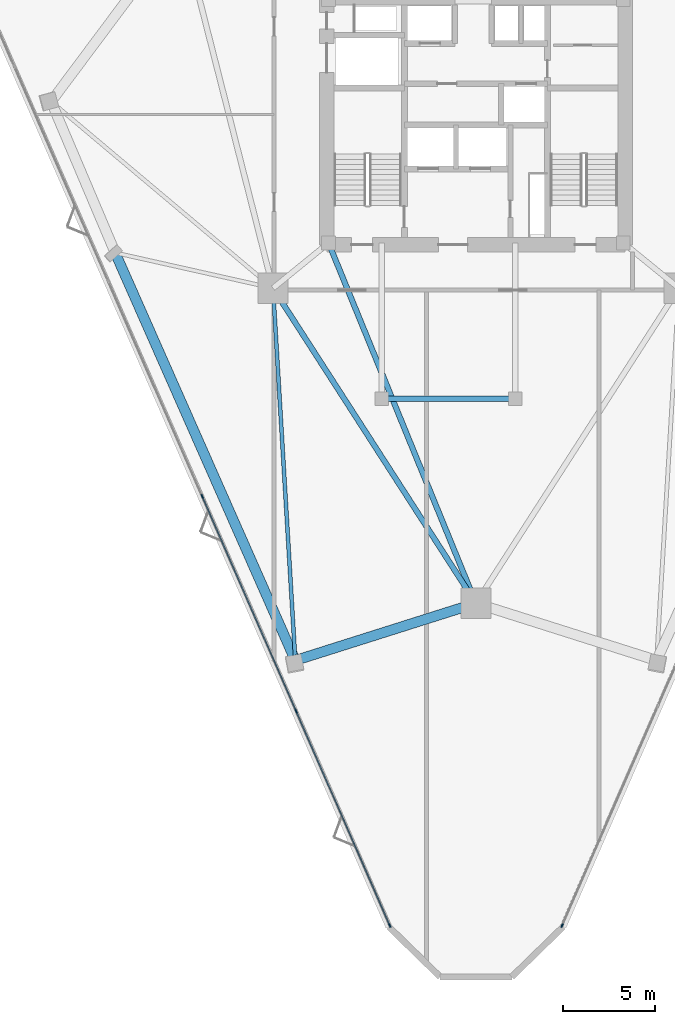
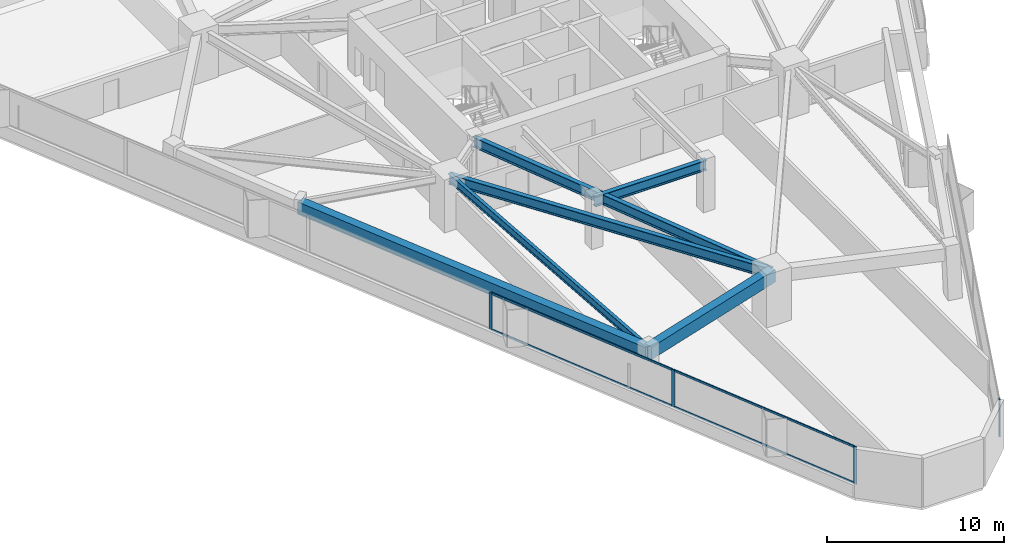
# One storey, part 2 of 15: 8 members, 6 beams, 2 elements without a shape of their own.
"""IFC4 building model written with IfcOpenShell, lengths in metres."""

import ifcopenshell
import ifcopenshell.guid

model = None  # the IFC model being written
_history = None  # IfcOwnerHistory: only IFC2X3 demands one
_inside = {}  # id of a spatial element -> (the spatial element, [elements in it])
_under = {}  # id of a project, library or spatial element -> (it, [spatial elements below it])
_declared = {}  # id of a project -> (the project, [libraries it declares])
_typed = {}  # id of a type object -> (the type object, [elements of that type])
_made_of = {}  # id of a material, layer set ... -> (it, [elements and type objects made of it])


def new_model(schema):
    """Start an empty IFC model of exactly this schema.

    Asked for "IFC4X3", IfcOpenShell would pick the latest addendum, in which some entities
    have other attributes; the version numbers below select the first issue.
    IFC2X3 requires an IfcOwnerHistory on every rooted entity: one is made here for all.
    """
    global model, _history
    if schema == "IFC4X3":
        model = ifcopenshell.file(schema_version=(4, 3, 0, 0))
    else:
        model = ifcopenshell.file(schema=schema)
    _inside.clear()
    _under.clear()
    _declared.clear()
    _typed.clear()
    _made_of.clear()
    _history = None
    if model.schema == "IFC2X3":
        org = make("IfcOrganization", Name="unknown")
        user = make(
            "IfcPersonAndOrganization",
            ThePerson=make("IfcPerson", FamilyName="unknown"),
            TheOrganization=org,
        )
        app = make(
            "IfcApplication",
            ApplicationDeveloper=org,
            Version="unknown",
            ApplicationFullName="unknown",
            ApplicationIdentifier="unknown",
        )
        _history = make(
            "IfcOwnerHistory",
            OwningUser=user,
            OwningApplication=app,
            ChangeAction="ADDED",
            CreationDate=0,
        )
    return model


def make(cls, **values):
    """One entity of the class cls with the attributes given. An attribute that is None is left unset."""
    return model.create_entity(
        cls, **{name: value for name, value in values.items() if value is not None}
    )


def rooted(cls, **values):
    """An entity with a GlobalId (a new one), such as an element, a storey or a relation."""
    return make(cls, GlobalId=ifcopenshell.guid.new(), OwnerHistory=_history, **values)


def si_unit(unit_type, name, prefix=None):
    """IfcSIUnit, for example si_unit("LENGTHUNIT", "METRE", prefix="MILLI")."""
    return make("IfcSIUnit", UnitType=unit_type, Prefix=prefix, Name=name)


def assignment(units):
    """IfcUnitAssignment: the units of a project."""
    return None if units is None else make("IfcUnitAssignment", Units=units)


def point(xyz):
    """IfcCartesianPoint."""
    return None if xyz is None else make("IfcCartesianPoint", Coordinates=xyz)


def direction(xyz):
    """IfcDirection."""
    return None if xyz is None else make("IfcDirection", DirectionRatios=xyz)


def frame(location, z_axis=None, x_axis=None):
    """IfcAxis2Placement3D, a coordinate frame: its origin and axes. An axis left out is left unset."""
    return make(
        "IfcAxis2Placement3D",
        Location=point(location),
        Axis=direction(z_axis),
        RefDirection=direction(x_axis),
    )


def frame_2d(location, x_axis=None):
    """IfcAxis2Placement2D, a coordinate frame in the plane: its origin and x axis."""
    return make(
        "IfcAxis2Placement2D", Location=point(location), RefDirection=direction(x_axis)
    )


def origin():
    """The frame at (0, 0, 0) with its axes left unset."""
    return frame((0.0, 0.0, 0.0))


def origin_2d():
    """The frame at (0, 0) in the plane with its x axis left unset."""
    return frame_2d((0.0, 0.0))


def place(relative_to, where):
    """IfcLocalPlacement: puts the frame where relative to a parent placement (None: the world)."""
    return make(
        "IfcLocalPlacement", PlacementRelTo=relative_to, RelativePlacement=where
    )


def context(
    kind, dimensions, precision=None, world=None, true_north=None, identifier=None
):
    """IfcGeometricRepresentationContext, for example the 3D "Model" context."""
    return make(
        "IfcGeometricRepresentationContext",
        ContextIdentifier=identifier,
        ContextType=kind,
        CoordinateSpaceDimension=dimensions,
        Precision=precision,
        WorldCoordinateSystem=world,
        TrueNorth=true_north,
    )


def subcontext(parent, identifier, kind, view, scale=None):
    """IfcGeometricRepresentationSubContext, for example "Body" below "Model"."""
    return make(
        "IfcGeometricRepresentationSubContext",
        ContextIdentifier=identifier,
        ContextType=kind,
        ParentContext=parent,
        TargetScale=scale,
        TargetView=view,
    )


def project(units=None, contexts=None):
    """IfcProject with its units and contexts."""
    return rooted(
        "IfcProject",
        Name="project",
        RepresentationContexts=contexts,
        UnitsInContext=assignment(units),
    )


def spatial(cls, under=None, at=None, **own):
    """A site, building, storey or space (cls), placed at a placement, below another one or the project."""
    s = rooted(cls, ObjectPlacement=at, **own)
    if under is not None:
        _under.setdefault(under.id(), (under, []))[1].append(s)
    return s


def profile(cls, at=None, kind="AREA", **sizes):
    """A parametric profile (cls). Its sizes go by their IFC names, for example OverallWidth=200.0."""
    return make(cls, ProfileType=kind, Position=at, **sizes)


def rectangle(**sizes):
    """IfcRectangleProfileDef."""
    return profile("IfcRectangleProfileDef", **sizes)


def i_section(**sizes):
    """IfcIShapeProfileDef."""
    return profile("IfcIShapeProfileDef", **sizes)


def extrude(swept, where, along, depth):
    """IfcExtrudedAreaSolid: the profile swept, set in the frame where, extruded along a direction by depth."""
    return make(
        "IfcExtrudedAreaSolid",
        SweptArea=swept,
        Position=where,
        ExtrudedDirection=direction(along),
        Depth=depth,
    )


def shape(context_of_items, identifier, shape_type, items):
    """IfcShapeRepresentation: the items that make up one representation, for example the "Body"."""
    return make(
        "IfcShapeRepresentation",
        ContextOfItems=context_of_items,
        RepresentationIdentifier=identifier,
        RepresentationType=shape_type,
        Items=items,
    )


def material(Name=None, Category=None):
    """IfcMaterial."""
    return make("IfcMaterial", Name=Name, Category=Category)


def layer(
    of_material, thickness, ventilated=None, Name=None, Category=None, Priority=None
):
    """IfcMaterialLayer: one layer of a wall or slab, of a material (None: an air gap)."""
    return make(
        "IfcMaterialLayer",
        Material=of_material,
        LayerThickness=thickness,
        IsVentilated=ventilated,
        Name=Name,
        Category=Category,
        Priority=Priority,
    )


def layer_set(layers, Name=None):
    """IfcMaterialLayerSet."""
    return make("IfcMaterialLayerSet", MaterialLayers=layers, LayerSetName=Name)


def material_profile(
    of_material, cross_section, Name=None, Category=None, Priority=None
):
    """IfcMaterialProfile: a cross section and its material."""
    return make(
        "IfcMaterialProfile",
        Name=Name,
        Material=of_material,
        Profile=cross_section,
        Priority=Priority,
        Category=Category,
    )


def profile_set(profiles, Name=None, composite=None):
    """IfcMaterialProfileSet."""
    return make(
        "IfcMaterialProfileSet",
        Name=Name,
        MaterialProfiles=profiles,
        CompositeProfile=composite,
    )


def made_of(thing, what):
    """Note that an element or type object is made of a material, layer set ...; save() writes the relation."""
    if what is not None:
        _made_of.setdefault(what.id(), (what, []))[1].append(thing)
    return thing


def type_object(cls, material=None, **own):
    """A type object (cls), such as IfcWallType, which elements share."""
    return made_of(rooted(cls, **own), material)


def element(
    cls,
    number,
    at=None,
    inside=None,
    cuts=None,
    type_object=None,
    material=None,
    context=None,
    identifier="Body",
    shape_type=None,
    held_by="IfcProductDefinitionShape",
    body=None,
    shapes=None,
    **own,
):
    """One element of the class cls, such as IfcWall. Its Tag is "e" and its number.

    at: its placement. inside: the storey or other place that contains it. cuts: it is an
    opening in that element (IfcRelVoidsElement). A single representation is given by context,
    identifier, shape_type and body (its items); several are given by shapes. held_by: the class
    of the entity that holds the representations. save() writes the other relations.
    """
    e = rooted(cls, Tag="e%d" % number, ObjectPlacement=at, **own)
    if body is not None:
        shapes = [shape(context, identifier, shape_type, body)]
    if shapes is not None:
        e.Representation = make(held_by, Representations=shapes)
    if inside is not None:
        _inside.setdefault(inside.id(), (inside, []))[1].append(e)
    if cuts is not None:
        rooted(
            "IfcRelVoidsElement", RelatingBuildingElement=cuts, RelatedOpeningElement=e
        )
    if type_object is not None:
        _typed.setdefault(type_object.id(), (type_object, []))[1].append(e)
    return made_of(e, material)


def aggregate(whole, parts):
    """IfcRelAggregates: a whole, such as a stair, and the parts it consists of."""
    return rooted("IfcRelAggregates", RelatingObject=whole, RelatedObjects=parts)


def save(model, path):
    """Write the relations noted so far, then the file.

    IfcRelAggregates (storeys below a building ...), IfcRelContainedInSpatialStructure (elements
    in a storey), IfcRelDefinesByType, IfcRelAssociatesMaterial and IfcRelDeclares: one each for
    every whole, place, type object, material and project.
    """
    for whole, parts in _under.values():
        aggregate(whole, parts)
    for where, things in _inside.values():
        rooted(
            "IfcRelContainedInSpatialStructure",
            RelatedElements=things,
            RelatingStructure=where,
        )
    for kind, things in _typed.values():
        rooted("IfcRelDefinesByType", RelatedObjects=things, RelatingType=kind)
    for what, things in _made_of.values():
        rooted("IfcRelAssociatesMaterial", RelatedObjects=things, RelatingMaterial=what)
    for by, libraries in _declared.values():
        rooted("IfcRelDeclares", RelatingContext=by, RelatedDefinitions=libraries)
    model.write(path)


model = new_model("IFC4")

# Units and contexts
model_context = context("Model", 3, precision=1e-05, world=origin(), true_north=direction((0.0, 1.0)))
body_context = subcontext(model_context, "Body", "Model", "MODEL_VIEW")
ifc_project = project(units=[si_unit("LENGTHUNIT", "METRE"), si_unit("AREAUNIT", "SQUARE_METRE"), si_unit("VOLUMEUNIT", "CUBIC_METRE"), si_unit("PLANEANGLEUNIT", "RADIAN"), si_unit("MASSUNIT", "GRAM", prefix="KILO")], contexts=[model_context])

# Site, building, storey
site_placement = place(None, origin())
site = spatial("IfcSite", under=ifc_project, at=site_placement, CompositionType="ELEMENT")
building_placement = place(site_placement, origin())
building = spatial("IfcBuilding", under=site, at=building_placement, Name="Talyreon Biosciences Tower", CompositionType="ELEMENT")
storey_placement = place(building_placement, frame((0.0, 0.0, 100.550048828125)))
storey = spatial("IfcBuildingStorey", under=building, at=storey_placement, Name="L26", CompositionType="ELEMENT", Elevation=100.550048828125)

# Curtain wall, member
ifc_material_1 = material(Name="Thermally broken aluminium and low-E glazing", Category="aluminium")
ifc_layer = layer(ifc_material_1, 0.205078125)
ifc_layer_set = layer_set([ifc_layer], Name="Thermally broken aluminium and low-E glazing")
curtain_wall_type = type_object("IfcCurtainWallType", Name="CurtainWall_SkyGardenLoggia", PredefinedType="NOTDEFINED", material=ifc_layer_set)
curtain_wall_1_placement = place(storey_placement, origin())
curtain_wall_1 = element("IfcCurtainWall", 1, at=curtain_wall_1_placement, inside=storey, type_object=curtain_wall_type, Name="L26 Unitised Curtain Wall FCW-L26-11", PredefinedType="NOTDEFINED")
ifc_material_2 = material(Name="Anodised thermally broken aluminium", Category="aluminium")
ifc_material_profile_1 = material_profile(ifc_material_2, rectangle(XDim=0.074951171875, YDim=0.2099609375, at=origin_2d()), Name="ALUM MULLION 75x210")
ifc_profile_set_1 = profile_set([ifc_material_profile_1], Name="Anodised thermally broken aluminium")
member_type_1 = type_object("IfcMemberType", Name="CWMullion_75x210", PredefinedType="MULLION", material=ifc_profile_set_1)
member_1_placement = place(storey_placement, frame((70.706787109375, 24.058349609375, 0.81005859375), z_axis=(0.0, 0.0, 1.0), x_axis=(0.916345572627, -0.400388300937, 0.0)))
member_1 = element("IfcMember", 2, at=member_1_placement, type_object=member_type_1, Name="CW7 mullion 3", PredefinedType="MULLION", context=body_context, shape_type="SweptSolid", body=[
    extrude(rectangle(XDim=0.074951171875, YDim=0.2099609375, at=origin_2d()), origin(), (0.0, 0.0, 1.0), 2.56494140625),
])
aggregate(curtain_wall_1, [member_1])

# Curtain wall, members
curtain_wall_2_placement = place(storey_placement, origin())
curtain_wall_2 = element("IfcCurtainWall", 3, at=curtain_wall_2_placement, inside=storey, type_object=curtain_wall_type, Name="L26 Unitised Curtain Wall FCW-L26-15", PredefinedType="NOTDEFINED")
member_2_placement = place(storey_placement, frame((61.293212890625, 24.058349609375, 0.81005859375), z_axis=(0.0, 0.0, 1.0), x_axis=(-0.9163461482, -0.400386983653, 0.0)))
member_2 = element("IfcMember", 4, at=member_2_placement, type_object=member_type_1, Name="CW7 mullion 1", PredefinedType="MULLION", context=body_context, shape_type="SweptSolid", body=[
    extrude(rectangle(XDim=0.074951171875, YDim=0.2099609375, at=origin_2d()), origin(), (0.0, 0.0, 1.0), 2.56494140625),
])
member_3_placement = place(storey_placement, frame((56.177490234375, 35.7666015625, 0.81005859375), z_axis=(0.0, 0.0, 1.0), x_axis=(-0.9163461482, -0.400386983653, 0.0)))
member_3 = element("IfcMember", 5, at=member_3_placement, type_object=member_type_1, Name="CW7 mullion 2", PredefinedType="MULLION", context=body_context, shape_type="SweptSolid", body=[
    extrude(rectangle(XDim=0.074951171875, YDim=0.2099609375, at=origin_2d()), origin(), (0.0, 0.0, 1.0), 2.56494140625),
])
member_4_placement = place(storey_placement, frame((51.046875, 47.509033203125, 0.81005859375), z_axis=(0.0, 0.0, 1.0), x_axis=(-0.9163461482, -0.400386983653, 0.0)))
member_4 = element("IfcMember", 6, at=member_4_placement, type_object=member_type_1, Name="CW7 mullion 3", PredefinedType="MULLION", context=body_context, shape_type="SweptSolid", body=[
    extrude(rectangle(XDim=0.074951171875, YDim=0.2099609375, at=origin_2d()), origin(), (0.0, 0.0, 1.0), 2.56494140625),
])
ifc_material_profile_2 = material_profile(ifc_material_2, rectangle(XDim=0.06494140625, YDim=0.139892578125, at=origin_2d()), Name="ALUM TRANSOM 65x140")
ifc_profile_set_2 = profile_set([ifc_material_profile_2], Name="Anodised thermally broken aluminium")
member_type_2 = type_object("IfcMemberType", Name="CWTransom_65x140", PredefinedType="USERDEFINED", material=ifc_profile_set_2)
member_5_placement = place(storey_placement, frame((61.2783203125, 24.0927734375, 0.842529296875), z_axis=(-0.400386229252, 0.916346477827, 0.0), x_axis=(-0.916346477827, -0.400386229252, 0.0)))
member_5 = element("IfcMember", 7, at=member_5_placement, type_object=member_type_2, Name="CW7 transom 1.1", ObjectType="TRANSOM", PredefinedType="USERDEFINED", context=body_context, shape_type="SweptSolid", body=[
    extrude(rectangle(XDim=0.06494140625, YDim=0.139892578125, at=origin_2d()), origin(), (0.0, 0.0, 1.0), 12.701904296875),
])
member_6_placement = place(storey_placement, frame((61.2783203125, 24.0927734375, 3.342529296875), z_axis=(-0.400386229252, 0.916346477827, 0.0), x_axis=(-0.916346477827, -0.400386229252, 0.0)))
member_6 = element("IfcMember", 8, at=member_6_placement, type_object=member_type_2, Name="CW7 transom 1.2", ObjectType="TRANSOM", PredefinedType="USERDEFINED", context=body_context, shape_type="SweptSolid", body=[
    extrude(rectangle(XDim=0.06494140625, YDim=0.139892578125, at=origin_2d()), origin(), (0.0, 0.0, 1.0), 12.701904296875),
])
member_7_placement = place(storey_placement, frame((56.16259765625, 35.80078125, 0.842529296875), z_axis=(-0.400392533988, 0.916343723025, 0.0), x_axis=(-0.916343723025, -0.400392533988, 0.0)))
member_7 = element("IfcMember", 9, at=member_7_placement, type_object=member_type_2, Name="CW7 transom 2.1", ObjectType="TRANSOM", PredefinedType="USERDEFINED", context=body_context, shape_type="SweptSolid", body=[
    extrude(rectangle(XDim=0.06494140625, YDim=0.139892578125, at=origin_2d()), origin(), (0.0, 0.0, 1.0), 12.739501953125),
])
member_8_placement = place(storey_placement, frame((56.16259765625, 35.80078125, 3.342529296875), z_axis=(-0.400392533988, 0.916343723025, 0.0), x_axis=(-0.916343723025, -0.400392533988, 0.0)))
member_8 = element("IfcMember", 10, at=member_8_placement, type_object=member_type_2, Name="CW7 transom 2.2", ObjectType="TRANSOM", PredefinedType="USERDEFINED", context=body_context, shape_type="SweptSolid", body=[
    extrude(rectangle(XDim=0.06494140625, YDim=0.139892578125, at=origin_2d()), origin(), (0.0, 0.0, 1.0), 12.739501953125),
])
aggregate(curtain_wall_2, [member_2, member_3, member_4, member_5, member_6, member_7, member_8])

# Beams
ifc_material_3 = material(Name="Precast concrete C45/55", Category="concrete")
ifc_material_profile_3 = material_profile(ifc_material_3, rectangle(XDim=0.550048828125, YDim=0.85009765625, at=origin_2d()), Name="RCB 550x850")
ifc_profile_set_3 = profile_set([ifc_material_profile_3], Name="Precast concrete C45/55")
beam_type_1 = type_object("IfcBeamType", Name="ExpressedSpandrel_550x850", PredefinedType="SPANDREL", material=ifc_profile_set_3)
beam_1_placement = place(storey_placement, frame((46.291748046875, 60.814208984375, 2.949951171875), z_axis=(0.404147459862, -0.914693845331, 0.0), x_axis=(0.914693845331, 0.404147459862, 0.0)))
element("IfcBeam", 11, at=beam_1_placement, inside=storey, type_object=beam_type_1, Name="L26 Expressed Horizontal Concrete Spandrel 11", PredefinedType="SPANDREL", context=body_context, shape_type="SweptSolid", body=[
    extrude(rectangle(XDim=0.550048828125, YDim=0.85009765625, at=origin_2d()), origin(), (0.0, 0.0, 1.0), 24.34765625),
])
beam_2_placement = place(storey_placement, frame((56.1318359375, 38.54345703125, 2.949951171875), z_axis=(0.953380685444, 0.301770224878, 0.0), x_axis=(-0.301770224878, 0.953380685444, 0.0)))
element("IfcBeam", 12, at=beam_2_placement, inside=storey, type_object=beam_type_1, Name="L26 Expressed Horizontal Concrete Spandrel 12", PredefinedType="SPANDREL", context=body_context, shape_type="SweptSolid", body=[
    extrude(rectangle(XDim=0.550048828125, YDim=0.85009765625, at=origin_2d()), origin(), (0.0, 0.0, 1.0), 10.3505859375),
])
ifc_material_4 = material(Name="Steel SM355", Category="steel")
ifc_material_profile_4 = material_profile(ifc_material_4, i_section(OverallWidth=0.300048828125, OverallDepth=0.699951171875, WebThickness=0.01708984375, FlangeThickness=0.031982421875, FilletRadius=0.027099609375, at=origin_2d()), Name="HE700B")
ifc_profile_set_4 = profile_set([ifc_material_profile_4], Name="Steel SM355")
beam_type_2 = type_object("IfcBeamType", Name="SteelGirder_HE700B", PredefinedType="BEAM", material=ifc_profile_set_4)
beam_3_placement = place(storey_placement, frame((54.913818359375, 58.88037109375, 3.02490234375), z_axis=(0.541463723609, -0.840724114092, 0.0), x_axis=(0.840724114092, 0.541463723609, 0.0)))
element("IfcBeam", 13, at=beam_3_placement, inside=storey, type_object=beam_type_2, Name="L26 Mega-Ring Girder 6", PredefinedType="BEAM", context=body_context, shape_type="SweptSolid", body=[
    extrude(i_section(OverallWidth=0.300048828125, OverallDepth=0.699951171875, WebThickness=0.01708984375, FlangeThickness=0.031982421875, FilletRadius=0.027099609375, at=origin_2d()), origin(), (0.0, 0.0, 1.0), 20.474365234375),
])
beam_4_placement = place(storey_placement, frame((57.949951171875, 61.35009765625, 3.02490234375), z_axis=(0.378547014545, -0.925582064314, 0.0), x_axis=(0.925582064314, 0.378547014545, 0.0)))
element("IfcBeam", 14, at=beam_4_placement, inside=storey, type_object=beam_type_2, Name="L26 Radial Primary Girder 1", PredefinedType="BEAM", context=body_context, shape_type="SweptSolid", body=[
    extrude(i_section(OverallWidth=0.300048828125, OverallDepth=0.699951171875, WebThickness=0.01708984375, FlangeThickness=0.031982421875, FilletRadius=0.027099609375, at=origin_2d()), origin(), (0.0, 0.0, 1.0), 21.265625),
])
beam_5_placement = place(storey_placement, frame((60.85009765625, 52.840087890625, 3.02490234375), z_axis=(1.0, 0.0, 0.0), x_axis=(0.0, 1.0, 0.0)))
element("IfcBeam", 15, at=beam_5_placement, inside=storey, type_object=beam_type_2, Name="L26 Crown Shaft Spine Girder S", PredefinedType="BEAM", context=body_context, shape_type="SweptSolid", body=[
    extrude(i_section(OverallWidth=0.300048828125, OverallDepth=0.699951171875, WebThickness=0.01708984375, FlangeThickness=0.031982421875, FilletRadius=0.027099609375, at=origin_2d()), origin(), (0.0, 0.0, 1.0), 7.2998046875),
])
ifc_material_profile_5 = material_profile(ifc_material_4, i_section(OverallWidth=0.2099609375, OverallDepth=0.550048828125, WebThickness=0.010986328125, FlangeThickness=0.01708984375, FilletRadius=0.02392578125, at=origin_2d()), Name="IPE550")
ifc_profile_set_5 = profile_set([ifc_material_profile_5], Name="Steel SM355")
beam_type_3 = type_object("IfcBeamType", Name="SteelJoist_IPE550", PredefinedType="JOIST", material=ifc_profile_set_5)
beam_6_placement = place(storey_placement, frame((54.913818359375, 58.88037109375, 3.099853515625), z_axis=(0.059784827289, -0.998211287467, 0.0), x_axis=(0.998211287467, 0.059784827289, 0.0)))
element("IfcBeam", 16, at=beam_6_placement, inside=storey, type_object=beam_type_3, Name="L26 Radial Composite Floor Joist PC-SW2", PredefinedType="JOIST", context=body_context, shape_type="SweptSolid", body=[
    extrude(i_section(OverallWidth=0.2099609375, OverallDepth=0.550048828125, WebThickness=0.010986328125, FlangeThickness=0.01708984375, FilletRadius=0.02392578125, at=origin_2d()), origin(), (0.0, 0.0, 1.0), 20.373291015625),
])

save(model, "model.ifc")
